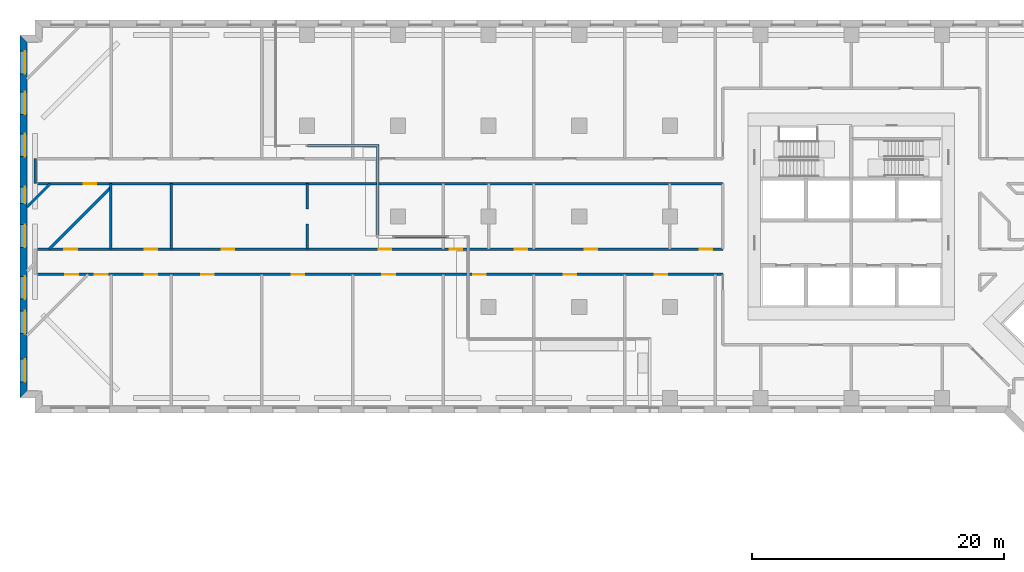
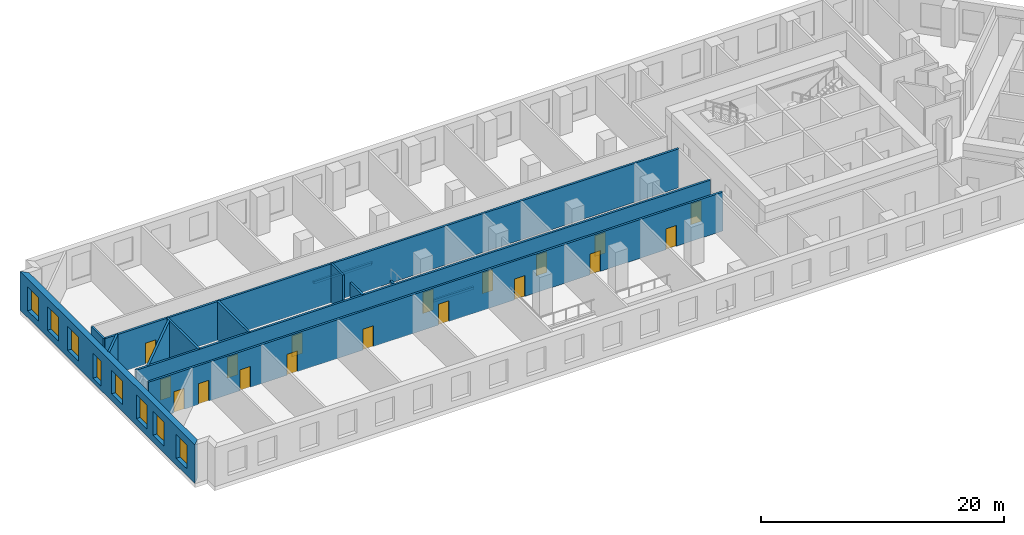
# One storey, part 3 of 12: 18 doors, 14 walls, 8 windows, 26 openings.
"""IFC4 building model written with IfcOpenShell, lengths in metres."""

from ifc_helpers import new_model, si_unit, direction, frame, frame_2d, origin, place, context, subcontext, project, spatial, polyline, rectangle, outline, extrude, material, layer, layer_set, type_object, element, fill, save


model = new_model("IFC4")

# Units and contexts
model_context = context("Model", 3, precision=1e-05, world=origin(), true_north=direction((0.0, 1.0)))
body_context = subcontext(model_context, "Body", "Model", "MODEL_VIEW")
ifc_project = project(units=[si_unit("LENGTHUNIT", "METRE"), si_unit("AREAUNIT", "SQUARE_METRE"), si_unit("VOLUMEUNIT", "CUBIC_METRE"), si_unit("PLANEANGLEUNIT", "RADIAN"), si_unit("MASSUNIT", "GRAM", prefix="KILO")], contexts=[model_context])

# Site, building, storey
site_placement = place(None, origin())
site = spatial("IfcSite", under=ifc_project, at=site_placement, CompositionType="ELEMENT")
building_placement = place(site_placement, origin())
building = spatial("IfcBuilding", under=site, at=building_placement, Name="Windrow Commons", CompositionType="ELEMENT")
storey_placement = place(building_placement, frame((0.0, 0.0, 22.8)))
storey = spatial("IfcBuildingStorey", under=building, at=storey_placement, Name="L05", CompositionType="ELEMENT", Elevation=22.8)

# Wall, openings, windows
ifc_material_1 = material(Name="Brick masonry, red clay brick", Category="masonry")
ifc_layer_1 = layer(ifc_material_1, 0.55)
ifc_layer_set_1 = layer_set([ifc_layer_1], Name="Brick facade wall 550")
wall_type_1 = type_object("IfcWallType", Name="Brick facade wall 550", PredefinedType="SOLIDWALL", material=ifc_layer_set_1)
wall_1_placement = place(storey_placement, frame((-0.925, 71.725, 0.0), z_axis=(0.0, 0.0, 1.0), x_axis=(0.0, -1.0, 0.0)))
wall_1 = element("IfcWall", 1, at=wall_1_placement, inside=storey, type_object=wall_type_1, Name="Brick facade wall L05 8", PredefinedType="SOLIDWALL", context=body_context, shape_type="SweptSolid", body=[
    extrude(outline(polyline([(-0.275, -0.275), (28.525, -0.275), (27.975, 0.275), (0.275, 0.275), (-0.275, -0.275)])), origin(), (0.0, 0.0, 1.0), 3.9),
])
opening_1_placement = place(wall_1_placement, frame((1.0, 0.0, 0.7)))
opening_1 = element("IfcOpeningElement", 2, at=opening_1_placement, cuts=wall_1, Name="Opening W2B", PredefinedType="OPENING", context=body_context, shape_type="SweptSolid", body=[
    extrude(rectangle(XDim=1.8, YDim=2.4, at=frame_2d((0.9, 1.2))), frame((0.0, 0.285, 0.0), z_axis=(0.0, -1.0, 0.0), x_axis=(1.0, 0.0, 0.0)), (0.0, 0.0, 1.0), 0.57),
])
opening_2_placement = place(wall_1_placement, frame((4.225, 0.0, 0.7)))
opening_2 = element("IfcOpeningElement", 3, at=opening_2_placement, cuts=wall_1, Name="Opening W2B", PredefinedType="OPENING", context=body_context, shape_type="SweptSolid", body=[
    extrude(rectangle(XDim=1.8, YDim=2.4, at=frame_2d((0.9, 1.2))), frame((0.0, 0.285, 0.0), z_axis=(0.0, -1.0, 0.0), x_axis=(1.0, 0.0, 0.0)), (0.0, 0.0, 1.0), 0.57),
])
opening_3_placement = place(wall_1_placement, frame((7.575, 0.0, 0.7)))
opening_3 = element("IfcOpeningElement", 4, at=opening_3_placement, cuts=wall_1, Name="Opening W2B", PredefinedType="OPENING", context=body_context, shape_type="SweptSolid", body=[
    extrude(rectangle(XDim=1.8, YDim=2.4, at=frame_2d((0.9, 1.2))), frame((0.0, 0.285, 0.0), z_axis=(0.0, -1.0, 0.0), x_axis=(1.0, 0.0, 0.0)), (0.0, 0.0, 1.0), 0.57),
])
opening_4_placement = place(wall_1_placement, frame((14.775, 0.0, 0.7)))
opening_4 = element("IfcOpeningElement", 5, at=opening_4_placement, cuts=wall_1, Name="Opening W2B", PredefinedType="OPENING", context=body_context, shape_type="SweptSolid", body=[
    extrude(rectangle(XDim=1.8, YDim=2.4, at=frame_2d((0.9, 1.2))), frame((0.0, 0.285, 0.0), z_axis=(0.0, -1.0, 0.0), x_axis=(1.0, 0.0, 0.0)), (0.0, 0.0, 1.0), 0.57),
])
opening_5_placement = place(wall_1_placement, frame((18.875, 0.0, 0.7)))
opening_5 = element("IfcOpeningElement", 6, at=opening_5_placement, cuts=wall_1, Name="Opening W2B", PredefinedType="OPENING", context=body_context, shape_type="SweptSolid", body=[
    extrude(rectangle(XDim=1.8, YDim=2.4, at=frame_2d((0.9, 1.2))), frame((0.0, 0.285, 0.0), z_axis=(0.0, -1.0, 0.0), x_axis=(1.0, 0.0, 0.0)), (0.0, 0.0, 1.0), 0.57),
])
opening_6_placement = place(wall_1_placement, frame((21.625, 0.0, 0.7)))
opening_6 = element("IfcOpeningElement", 7, at=opening_6_placement, cuts=wall_1, Name="Opening W2B", PredefinedType="OPENING", context=body_context, shape_type="SweptSolid", body=[
    extrude(rectangle(XDim=1.8, YDim=2.4, at=frame_2d((0.9, 1.2))), frame((0.0, 0.285, 0.0), z_axis=(0.0, -1.0, 0.0), x_axis=(1.0, 0.0, 0.0)), (0.0, 0.0, 1.0), 0.57),
])
opening_7_placement = place(wall_1_placement, frame((25.45, 0.0, 0.7)))
opening_7 = element("IfcOpeningElement", 8, at=opening_7_placement, cuts=wall_1, Name="Opening W2B", PredefinedType="OPENING", context=body_context, shape_type="SweptSolid", body=[
    extrude(rectangle(XDim=1.8, YDim=2.4, at=frame_2d((0.9, 1.2))), frame((0.0, 0.285, 0.0), z_axis=(0.0, -1.0, 0.0), x_axis=(1.0, 0.0, 0.0)), (0.0, 0.0, 1.0), 0.57),
])
opening_8_placement = place(wall_1_placement, frame((11.775, 0.0, 0.45)))
opening_8 = element("IfcOpeningElement", 9, at=opening_8_placement, cuts=wall_1, Name="Opening W1Q", PredefinedType="OPENING", context=body_context, shape_type="SweptSolid", body=[
    extrude(rectangle(XDim=1.3, YDim=2.5, at=frame_2d((0.65, 1.25))), frame((0.0, 0.285, 0.0), z_axis=(0.0, -1.0, 0.0), x_axis=(1.0, 0.0, 0.0)), (0.0, 0.0, 1.0), 0.57),
])
ifc_material_2 = material(Name="Clear float glass in anodised aluminium frame", Category="aluminium")
window_type_1 = type_object("IfcWindowType", Name="Window W1Q pair 1300x2500", PartitioningType="SINGLE_PANEL", PredefinedType="WINDOW", material=ifc_material_2)
window_1_placement = place(opening_8_placement, origin())
window_1 = element("IfcWindow", 10, at=window_1_placement, inside=storey, type_object=window_type_1, Name="Window L05 8.4A", OverallHeight=2.5, OverallWidth=1.3, PartitioningType="SINGLE_PANEL", PredefinedType="WINDOW", context=body_context, shape_type="SweptSolid", body=[
    extrude(rectangle(XDim=1.3, YDim=2.5, at=frame_2d((0.65, 1.25))), frame((0.0, 0.155, 0.0), z_axis=(0.0, -1.0, 0.0), x_axis=(1.0, 0.0, 0.0)), (0.0, 0.0, 1.0), 0.06),
])
fill(opening_8, window_1)
ifc_material_3 = material(Name="Clear float glass in anodised aluminium frame", Category="aluminium")
window_type_2 = type_object("IfcWindowType", Name="Window W2 podium 1800x2400", PartitioningType="SINGLE_PANEL", PredefinedType="WINDOW", material=ifc_material_3)
window_2_placement = place(opening_1_placement, origin())
window_2 = element("IfcWindow", 11, at=window_2_placement, inside=storey, type_object=window_type_2, Name="Window L05 8.1", OverallHeight=2.4, OverallWidth=1.8, PartitioningType="SINGLE_PANEL", PredefinedType="WINDOW", context=body_context, shape_type="SweptSolid", body=[
    extrude(rectangle(XDim=1.8, YDim=2.4, at=frame_2d((0.9, 1.2))), frame((0.0, 0.155, 0.0), z_axis=(0.0, -1.0, 0.0), x_axis=(1.0, 0.0, 0.0)), (0.0, 0.0, 1.0), 0.06),
])
fill(opening_1, window_2)
window_3_placement = place(opening_2_placement, origin())
window_3 = element("IfcWindow", 12, at=window_3_placement, inside=storey, type_object=window_type_2, Name="Window L05 8.2", OverallHeight=2.4, OverallWidth=1.8, PartitioningType="SINGLE_PANEL", PredefinedType="WINDOW", context=body_context, shape_type="SweptSolid", body=[
    extrude(rectangle(XDim=1.8, YDim=2.4, at=frame_2d((0.9, 1.2))), frame((0.0, 0.155, 0.0), z_axis=(0.0, -1.0, 0.0), x_axis=(1.0, 0.0, 0.0)), (0.0, 0.0, 1.0), 0.06),
])
fill(opening_2, window_3)
window_4_placement = place(opening_3_placement, origin())
window_4 = element("IfcWindow", 13, at=window_4_placement, inside=storey, type_object=window_type_2, Name="Window L05 8.3", OverallHeight=2.4, OverallWidth=1.8, PartitioningType="SINGLE_PANEL", PredefinedType="WINDOW", context=body_context, shape_type="SweptSolid", body=[
    extrude(rectangle(XDim=1.8, YDim=2.4, at=frame_2d((0.9, 1.2))), frame((0.0, 0.155, 0.0), z_axis=(0.0, -1.0, 0.0), x_axis=(1.0, 0.0, 0.0)), (0.0, 0.0, 1.0), 0.06),
])
fill(opening_3, window_4)
window_5_placement = place(opening_4_placement, origin())
window_5 = element("IfcWindow", 14, at=window_5_placement, inside=storey, type_object=window_type_2, Name="Window L05 8.5", OverallHeight=2.4, OverallWidth=1.8, PartitioningType="SINGLE_PANEL", PredefinedType="WINDOW", context=body_context, shape_type="SweptSolid", body=[
    extrude(rectangle(XDim=1.8, YDim=2.4, at=frame_2d((0.9, 1.2))), frame((0.0, 0.155, 0.0), z_axis=(0.0, -1.0, 0.0), x_axis=(1.0, 0.0, 0.0)), (0.0, 0.0, 1.0), 0.06),
])
fill(opening_4, window_5)
window_6_placement = place(opening_5_placement, origin())
window_6 = element("IfcWindow", 15, at=window_6_placement, inside=storey, type_object=window_type_2, Name="Window L05 8.6", OverallHeight=2.4, OverallWidth=1.8, PartitioningType="SINGLE_PANEL", PredefinedType="WINDOW", context=body_context, shape_type="SweptSolid", body=[
    extrude(rectangle(XDim=1.8, YDim=2.4, at=frame_2d((0.9, 1.2))), frame((0.0, 0.155, 0.0), z_axis=(0.0, -1.0, 0.0), x_axis=(1.0, 0.0, 0.0)), (0.0, 0.0, 1.0), 0.06),
])
fill(opening_5, window_6)
window_7_placement = place(opening_6_placement, origin())
window_7 = element("IfcWindow", 16, at=window_7_placement, inside=storey, type_object=window_type_2, Name="Window L05 8.7", OverallHeight=2.4, OverallWidth=1.8, PartitioningType="SINGLE_PANEL", PredefinedType="WINDOW", context=body_context, shape_type="SweptSolid", body=[
    extrude(rectangle(XDim=1.8, YDim=2.4, at=frame_2d((0.9, 1.2))), frame((0.0, 0.155, 0.0), z_axis=(0.0, -1.0, 0.0), x_axis=(1.0, 0.0, 0.0)), (0.0, 0.0, 1.0), 0.06),
])
fill(opening_6, window_7)
window_8_placement = place(opening_7_placement, origin())
window_8 = element("IfcWindow", 17, at=window_8_placement, inside=storey, type_object=window_type_2, Name="Window L05 8.8", OverallHeight=2.4, OverallWidth=1.8, PartitioningType="SINGLE_PANEL", PredefinedType="WINDOW", context=body_context, shape_type="SweptSolid", body=[
    extrude(rectangle(XDim=1.8, YDim=2.4, at=frame_2d((0.9, 1.2))), frame((0.0, 0.155, 0.0), z_axis=(0.0, -1.0, 0.0), x_axis=(1.0, 0.0, 0.0)), (0.0, 0.0, 1.0), 0.06),
])
fill(opening_7, window_8)

# Wall, openings, doors
ifc_material_4 = material(Name="Blockwork partition", Category="masonry")
ifc_layer_2 = layer(ifc_material_4, 0.2)
ifc_layer_set_2 = layer_set([ifc_layer_2], Name="IW-CORRIDOR-200")
wall_type_2 = type_object("IfcWallType", Name="IW-CORRIDOR-200", PredefinedType="PARTITIONING", material=ifc_layer_set_2)
wall_2_placement = place(storey_placement, frame((0.0, 55.0, 0.0), z_axis=(0.0, 0.0, 1.0), x_axis=(1.0, 0.0, 0.0)))
wall_2 = element("IfcWall", 18, at=wall_2_placement, inside=storey, type_object=wall_type_2, Name="W-L05-W000", PredefinedType="PARTITIONING", context=body_context, shape_type="SweptSolid", body=[
    extrude(rectangle(XDim=54.6, YDim=0.2, at=frame_2d((27.3, 0.0))), origin(), (0.0, 0.0, 1.0), 3.9),
])
opening_9_placement = place(wall_2_placement, frame((8.6894, 0.0, 0.0)))
opening_9 = element("IfcOpeningElement", 19, at=opening_9_placement, cuts=wall_2, Name="Opening D310F", PredefinedType="OPENING", context=body_context, shape_type="SweptSolid", body=[
    extrude(rectangle(XDim=1.0, YDim=2.1, at=frame_2d((0.5, 1.05))), frame((0.0, 0.11, 0.0), z_axis=(0.0, -1.0, 0.0), x_axis=(1.0, 0.0, 0.0)), (0.0, 0.0, 1.0), 0.22),
])
opening_10_placement = place(wall_2_placement, frame((14.825, 0.0, 0.0)))
opening_10 = element("IfcOpeningElement", 20, at=opening_10_placement, cuts=wall_2, Name="Opening D310F", PredefinedType="OPENING", context=body_context, shape_type="SweptSolid", body=[
    extrude(rectangle(XDim=1.0, YDim=2.1, at=frame_2d((0.5, 1.05))), frame((0.0, 0.11, 0.0), z_axis=(0.0, -1.0, 0.0), x_axis=(1.0, 0.0, 0.0)), (0.0, 0.0, 1.0), 0.22),
])
opening_11_placement = place(wall_2_placement, frame((27.2842, 0.0, 0.0)))
opening_11 = element("IfcOpeningElement", 21, at=opening_11_placement, cuts=wall_2, Name="Opening D310F", PredefinedType="OPENING", context=body_context, shape_type="SweptSolid", body=[
    extrude(rectangle(XDim=1.0, YDim=2.1, at=frame_2d((0.5, 1.05))), frame((0.0, 0.11, 0.0), z_axis=(0.0, -1.0, 0.0), x_axis=(1.0, 0.0, 0.0)), (0.0, 0.0, 1.0), 0.22),
])
opening_12_placement = place(wall_2_placement, frame((32.925, 0.0, 0.0)))
opening_12 = element("IfcOpeningElement", 22, at=opening_12_placement, cuts=wall_2, Name="Opening D310F", PredefinedType="OPENING", context=body_context, shape_type="SweptSolid", body=[
    extrude(rectangle(XDim=1.0, YDim=2.1, at=frame_2d((0.5, 1.05))), frame((0.0, 0.11, 0.0), z_axis=(0.0, -1.0, 0.0), x_axis=(1.0, 0.0, 0.0)), (0.0, 0.0, 1.0), 0.22),
])
opening_13_placement = place(wall_2_placement, frame((38.075, 0.0, 0.0)))
opening_13 = element("IfcOpeningElement", 23, at=opening_13_placement, cuts=wall_2, Name="Opening D310F", PredefinedType="OPENING", context=body_context, shape_type="SweptSolid", body=[
    extrude(rectangle(XDim=1.0, YDim=2.1, at=frame_2d((0.5, 1.05))), frame((0.0, 0.11, 0.0), z_axis=(0.0, -1.0, 0.0), x_axis=(1.0, 0.0, 0.0)), (0.0, 0.0, 1.0), 0.22),
])
opening_14_placement = place(wall_2_placement, frame((43.625, 0.0, 0.0)))
opening_14 = element("IfcOpeningElement", 24, at=opening_14_placement, cuts=wall_2, Name="Opening D310F", PredefinedType="OPENING", context=body_context, shape_type="SweptSolid", body=[
    extrude(rectangle(XDim=1.0, YDim=2.1, at=frame_2d((0.5, 1.05))), frame((0.0, 0.11, 0.0), z_axis=(0.0, -1.0, 0.0), x_axis=(1.0, 0.0, 0.0)), (0.0, 0.0, 1.0), 0.22),
])
opening_15_placement = place(wall_2_placement, frame((52.7521, 0.0, 0.0)))
opening_15 = element("IfcOpeningElement", 25, at=opening_15_placement, cuts=wall_2, Name="Opening D310F", PredefinedType="OPENING", context=body_context, shape_type="SweptSolid", body=[
    extrude(rectangle(XDim=1.0, YDim=2.1, at=frame_2d((0.5, 1.05))), frame((0.0, 0.11, 0.0), z_axis=(0.0, -1.0, 0.0), x_axis=(1.0, 0.0, 0.0)), (0.0, 0.0, 1.0), 0.22),
])
opening_16_placement = place(wall_2_placement, frame((2.3316, 0.0, 0.0)))
opening_16 = element("IfcOpeningElement", 26, at=opening_16_placement, cuts=wall_2, Name="Opening D410F", PredefinedType="OPENING", context=body_context, shape_type="SweptSolid", body=[
    extrude(rectangle(XDim=1.0, YDim=2.1, at=frame_2d((0.5, 1.05))), frame((0.0, 0.11, 0.0), z_axis=(0.0, -1.0, 0.0), x_axis=(1.0, 0.0, 0.0)), (0.0, 0.0, 1.0), 0.22),
])
ifc_material_5 = material(Name="Timber door leaf", Category="wood")
door_type_1 = type_object("IfcDoorType", Name="DT-AMENITY-1000", OperationType="SINGLE_SWING_LEFT", PredefinedType="DOOR", material=ifc_material_5)
door_1_placement = place(opening_9_placement, origin())
door_1 = element("IfcDoor", 27, at=door_1_placement, inside=storey, type_object=door_type_1, Name="D-L05-D012", OperationType="SINGLE_SWING_RIGHT", OverallHeight=2.1, OverallWidth=1.0, PredefinedType="DOOR", context=body_context, shape_type="SweptSolid", body=[
    extrude(rectangle(XDim=1.0, YDim=2.1, at=frame_2d((0.5, 1.05))), frame((0.0, 0.025, 0.0), z_axis=(0.0, -1.0, 0.0), x_axis=(1.0, 0.0, 0.0)), (0.0, 0.0, 1.0), 0.05),
])
fill(opening_9, door_1)
door_2_placement = place(opening_10_placement, origin())
door_2 = element("IfcDoor", 28, at=door_2_placement, inside=storey, type_object=door_type_1, Name="D-L05-D013", OperationType="SINGLE_SWING_LEFT", OverallHeight=2.1, OverallWidth=1.0, PredefinedType="DOOR", context=body_context, shape_type="SweptSolid", body=[
    extrude(rectangle(XDim=1.0, YDim=2.1, at=frame_2d((0.5, 1.05))), frame((0.0, 0.025, 0.0), z_axis=(0.0, -1.0, 0.0), x_axis=(1.0, 0.0, 0.0)), (0.0, 0.0, 1.0), 0.05),
])
fill(opening_10, door_2)
door_3_placement = place(opening_11_placement, origin())
door_3 = element("IfcDoor", 29, at=door_3_placement, inside=storey, type_object=door_type_1, Name="D-L05-D014", OperationType="SINGLE_SWING_RIGHT", OverallHeight=2.1, OverallWidth=1.0, PredefinedType="DOOR", context=body_context, shape_type="SweptSolid", body=[
    extrude(rectangle(XDim=1.0, YDim=2.1, at=frame_2d((0.5, 1.05))), frame((0.0, 0.025, 0.0), z_axis=(0.0, -1.0, 0.0), x_axis=(1.0, 0.0, 0.0)), (0.0, 0.0, 1.0), 0.05),
])
fill(opening_11, door_3)
door_4_placement = place(opening_12_placement, origin())
door_4 = element("IfcDoor", 30, at=door_4_placement, inside=storey, type_object=door_type_1, Name="D-L05-D015", OperationType="SINGLE_SWING_LEFT", OverallHeight=2.1, OverallWidth=1.0, PredefinedType="DOOR", context=body_context, shape_type="SweptSolid", body=[
    extrude(rectangle(XDim=1.0, YDim=2.1, at=frame_2d((0.5, 1.05))), frame((0.0, 0.025, 0.0), z_axis=(0.0, -1.0, 0.0), x_axis=(1.0, 0.0, 0.0)), (0.0, 0.0, 1.0), 0.05),
])
fill(opening_12, door_4)
door_5_placement = place(opening_13_placement, origin())
door_5 = element("IfcDoor", 31, at=door_5_placement, inside=storey, type_object=door_type_1, Name="D-L05-D016", OperationType="SINGLE_SWING_RIGHT", OverallHeight=2.1, OverallWidth=1.0, PredefinedType="DOOR", context=body_context, shape_type="SweptSolid", body=[
    extrude(rectangle(XDim=1.0, YDim=2.1, at=frame_2d((0.5, 1.05))), frame((0.0, 0.025, 0.0), z_axis=(0.0, -1.0, 0.0), x_axis=(1.0, 0.0, 0.0)), (0.0, 0.0, 1.0), 0.05),
])
fill(opening_13, door_5)
door_6_placement = place(opening_14_placement, origin())
door_6 = element("IfcDoor", 32, at=door_6_placement, inside=storey, type_object=door_type_1, Name="D-L05-D017", OperationType="SINGLE_SWING_LEFT", OverallHeight=2.1, OverallWidth=1.0, PredefinedType="DOOR", context=body_context, shape_type="SweptSolid", body=[
    extrude(rectangle(XDim=1.0, YDim=2.1, at=frame_2d((0.5, 1.05))), frame((0.0, 0.025, 0.0), z_axis=(0.0, -1.0, 0.0), x_axis=(1.0, 0.0, 0.0)), (0.0, 0.0, 1.0), 0.05),
])
fill(opening_14, door_6)
door_7_placement = place(opening_15_placement, origin())
door_7 = element("IfcDoor", 33, at=door_7_placement, inside=storey, type_object=door_type_1, Name="D-L05-D018", OperationType="SINGLE_SWING_RIGHT", OverallHeight=2.1, OverallWidth=1.0, PredefinedType="DOOR", context=body_context, shape_type="SweptSolid", body=[
    extrude(rectangle(XDim=1.0, YDim=2.1, at=frame_2d((0.5, 1.05))), frame((0.0, 0.025, 0.0), z_axis=(0.0, -1.0, 0.0), x_axis=(1.0, 0.0, 0.0)), (0.0, 0.0, 1.0), 0.05),
])
fill(opening_15, door_7)
ifc_material_6 = material(Name="Timber door leaf", Category="wood")
door_type_2 = type_object("IfcDoorType", Name="DT-SERVICE-1000", OperationType="SINGLE_SWING_LEFT", PredefinedType="DOOR", material=ifc_material_6)
door_8_placement = place(opening_16_placement, origin())
door_8 = element("IfcDoor", 34, at=door_8_placement, inside=storey, type_object=door_type_2, Name="D-L05-D045", OperationType="SINGLE_SWING_LEFT", OverallHeight=2.1, OverallWidth=1.0, PredefinedType="DOOR", context=body_context, shape_type="SweptSolid", body=[
    extrude(rectangle(XDim=1.0, YDim=2.1, at=frame_2d((0.5, 1.05))), frame((0.0, 0.025, 0.0), z_axis=(0.0, -1.0, 0.0), x_axis=(1.0, 0.0, 0.0)), (0.0, 0.0, 1.0), 0.05),
])
fill(opening_16, door_8)

wall_3_placement = place(storey_placement, frame((0.0, 53.0, 0.0), z_axis=(0.0, 0.0, 1.0), x_axis=(1.0, 0.0, 0.0)))
wall_3 = element("IfcWall", 35, at=wall_3_placement, inside=storey, type_object=wall_type_2, Name="W-L05-W001", PredefinedType="PARTITIONING", context=body_context, shape_type="SweptSolid", body=[
    extrude(rectangle(XDim=54.6, YDim=0.2, at=frame_2d((27.3, 0.0))), origin(), (0.0, 0.0, 1.0), 3.9),
])
opening_17_placement = place(wall_3_placement, frame((8.6894, 0.0, 0.0)))
opening_17 = element("IfcOpeningElement", 36, at=opening_17_placement, cuts=wall_3, Name="Opening D310F", PredefinedType="OPENING", context=body_context, shape_type="SweptSolid", body=[
    extrude(rectangle(XDim=1.0, YDim=2.1, at=frame_2d((0.5, 1.05))), frame((0.0, 0.11, 0.0), z_axis=(0.0, -1.0, 0.0), x_axis=(1.0, 0.0, 0.0)), (0.0, 0.0, 1.0), 0.22),
])
opening_18_placement = place(wall_3_placement, frame((13.1737, 0.0, 0.0)))
opening_18 = element("IfcOpeningElement", 37, at=opening_18_placement, cuts=wall_3, Name="Opening D310F", PredefinedType="OPENING", context=body_context, shape_type="SweptSolid", body=[
    extrude(rectangle(XDim=1.0, YDim=2.1, at=frame_2d((0.5, 1.05))), frame((0.0, 0.11, 0.0), z_axis=(0.0, -1.0, 0.0), x_axis=(1.0, 0.0, 0.0)), (0.0, 0.0, 1.0), 0.22),
])
opening_19_placement = place(wall_3_placement, frame((20.3737, 0.0, 0.0)))
opening_19 = element("IfcOpeningElement", 38, at=opening_19_placement, cuts=wall_3, Name="Opening D310F", PredefinedType="OPENING", context=body_context, shape_type="SweptSolid", body=[
    extrude(rectangle(XDim=1.0, YDim=2.1, at=frame_2d((0.5, 1.05))), frame((0.0, 0.11, 0.0), z_axis=(0.0, -1.0, 0.0), x_axis=(1.0, 0.0, 0.0)), (0.0, 0.0, 1.0), 0.22),
])
opening_20_placement = place(wall_3_placement, frame((27.5737, 0.0, 0.0)))
opening_20 = element("IfcOpeningElement", 39, at=opening_20_placement, cuts=wall_3, Name="Opening D310F", PredefinedType="OPENING", context=body_context, shape_type="SweptSolid", body=[
    extrude(rectangle(XDim=1.0, YDim=2.1, at=frame_2d((0.5, 1.05))), frame((0.0, 0.11, 0.0), z_axis=(0.0, -1.0, 0.0), x_axis=(1.0, 0.0, 0.0)), (0.0, 0.0, 1.0), 0.22),
])
opening_21_placement = place(wall_3_placement, frame((34.7737, 0.0, 0.0)))
opening_21 = element("IfcOpeningElement", 40, at=opening_21_placement, cuts=wall_3, Name="Opening D310F", PredefinedType="OPENING", context=body_context, shape_type="SweptSolid", body=[
    extrude(rectangle(XDim=1.0, YDim=2.1, at=frame_2d((0.5, 1.05))), frame((0.0, 0.11, 0.0), z_axis=(0.0, -1.0, 0.0), x_axis=(1.0, 0.0, 0.0)), (0.0, 0.0, 1.0), 0.22),
])
opening_22_placement = place(wall_3_placement, frame((41.9737, 0.0, 0.0)))
opening_22 = element("IfcOpeningElement", 41, at=opening_22_placement, cuts=wall_3, Name="Opening D310F", PredefinedType="OPENING", context=body_context, shape_type="SweptSolid", body=[
    extrude(rectangle(XDim=1.0, YDim=2.1, at=frame_2d((0.5, 1.05))), frame((0.0, 0.11, 0.0), z_axis=(0.0, -1.0, 0.0), x_axis=(1.0, 0.0, 0.0)), (0.0, 0.0, 1.0), 0.22),
])
opening_23_placement = place(wall_3_placement, frame((49.1737, 0.0, 0.0)))
opening_23 = element("IfcOpeningElement", 42, at=opening_23_placement, cuts=wall_3, Name="Opening D310F", PredefinedType="OPENING", context=body_context, shape_type="SweptSolid", body=[
    extrude(rectangle(XDim=1.0, YDim=2.1, at=frame_2d((0.5, 1.05))), frame((0.0, 0.11, 0.0), z_axis=(0.0, -1.0, 0.0), x_axis=(1.0, 0.0, 0.0)), (0.0, 0.0, 1.0), 0.22),
])
opening_24_placement = place(wall_3_placement, frame((2.4056, 0.0, 0.0)))
opening_24 = element("IfcOpeningElement", 43, at=opening_24_placement, cuts=wall_3, Name="Opening D310F", PredefinedType="OPENING", context=body_context, shape_type="SweptSolid", body=[
    extrude(rectangle(XDim=1.0, YDim=2.1, at=frame_2d((0.5, 1.05))), frame((0.0, 0.11, 0.0), z_axis=(0.0, -1.0, 0.0), x_axis=(1.0, 0.0, 0.0)), (0.0, 0.0, 1.0), 0.22),
])
opening_25_placement = place(wall_3_placement, frame((4.7485, 0.0, 0.0)))
opening_25 = element("IfcOpeningElement", 44, at=opening_25_placement, cuts=wall_3, Name="Opening D310F", PredefinedType="OPENING", context=body_context, shape_type="SweptSolid", body=[
    extrude(rectangle(XDim=1.0, YDim=2.1, at=frame_2d((0.5, 1.05))), frame((0.0, 0.11, 0.0), z_axis=(0.0, -1.0, 0.0), x_axis=(1.0, 0.0, 0.0)), (0.0, 0.0, 1.0), 0.22),
])
door_9_placement = place(opening_17_placement, origin())
door_9 = element("IfcDoor", 45, at=door_9_placement, inside=storey, type_object=door_type_1, Name="D-L05-D000", OperationType="SINGLE_SWING_LEFT", OverallHeight=2.1, OverallWidth=1.0, PredefinedType="DOOR", context=body_context, shape_type="SweptSolid", body=[
    extrude(rectangle(XDim=1.0, YDim=2.1, at=frame_2d((0.5, 1.05))), frame((0.0, 0.025, 0.0), z_axis=(0.0, -1.0, 0.0), x_axis=(1.0, 0.0, 0.0)), (0.0, 0.0, 1.0), 0.05),
])
fill(opening_17, door_9)
door_10_placement = place(opening_18_placement, origin())
door_10 = element("IfcDoor", 46, at=door_10_placement, inside=storey, type_object=door_type_1, Name="D-L05-D001", OperationType="SINGLE_SWING_RIGHT", OverallHeight=2.1, OverallWidth=1.0, PredefinedType="DOOR", context=body_context, shape_type="SweptSolid", body=[
    extrude(rectangle(XDim=1.0, YDim=2.1, at=frame_2d((0.5, 1.05))), frame((0.0, 0.025, 0.0), z_axis=(0.0, -1.0, 0.0), x_axis=(1.0, 0.0, 0.0)), (0.0, 0.0, 1.0), 0.05),
])
fill(opening_18, door_10)
door_11_placement = place(opening_19_placement, origin())
door_11 = element("IfcDoor", 47, at=door_11_placement, inside=storey, type_object=door_type_1, Name="D-L05-D002", OperationType="SINGLE_SWING_RIGHT", OverallHeight=2.1, OverallWidth=1.0, PredefinedType="DOOR", context=body_context, shape_type="SweptSolid", body=[
    extrude(rectangle(XDim=1.0, YDim=2.1, at=frame_2d((0.5, 1.05))), frame((0.0, 0.025, 0.0), z_axis=(0.0, -1.0, 0.0), x_axis=(1.0, 0.0, 0.0)), (0.0, 0.0, 1.0), 0.05),
])
fill(opening_19, door_11)
door_12_placement = place(opening_20_placement, origin())
door_12 = element("IfcDoor", 48, at=door_12_placement, inside=storey, type_object=door_type_1, Name="D-L05-D003", OperationType="SINGLE_SWING_RIGHT", OverallHeight=2.1, OverallWidth=1.0, PredefinedType="DOOR", context=body_context, shape_type="SweptSolid", body=[
    extrude(rectangle(XDim=1.0, YDim=2.1, at=frame_2d((0.5, 1.05))), frame((0.0, 0.025, 0.0), z_axis=(0.0, -1.0, 0.0), x_axis=(1.0, 0.0, 0.0)), (0.0, 0.0, 1.0), 0.05),
])
fill(opening_20, door_12)
door_13_placement = place(opening_21_placement, origin())
door_13 = element("IfcDoor", 49, at=door_13_placement, inside=storey, type_object=door_type_1, Name="D-L05-D004", OperationType="SINGLE_SWING_RIGHT", OverallHeight=2.1, OverallWidth=1.0, PredefinedType="DOOR", context=body_context, shape_type="SweptSolid", body=[
    extrude(rectangle(XDim=1.0, YDim=2.1, at=frame_2d((0.5, 1.05))), frame((0.0, 0.025, 0.0), z_axis=(0.0, -1.0, 0.0), x_axis=(1.0, 0.0, 0.0)), (0.0, 0.0, 1.0), 0.05),
])
fill(opening_21, door_13)
door_14_placement = place(opening_22_placement, origin())
door_14 = element("IfcDoor", 50, at=door_14_placement, inside=storey, type_object=door_type_1, Name="D-L05-D005", OperationType="SINGLE_SWING_RIGHT", OverallHeight=2.1, OverallWidth=1.0, PredefinedType="DOOR", context=body_context, shape_type="SweptSolid", body=[
    extrude(rectangle(XDim=1.0, YDim=2.1, at=frame_2d((0.5, 1.05))), frame((0.0, 0.025, 0.0), z_axis=(0.0, -1.0, 0.0), x_axis=(1.0, 0.0, 0.0)), (0.0, 0.0, 1.0), 0.05),
])
fill(opening_22, door_14)
door_15_placement = place(opening_23_placement, origin())
door_15 = element("IfcDoor", 51, at=door_15_placement, inside=storey, type_object=door_type_1, Name="D-L05-D006", OperationType="SINGLE_SWING_RIGHT", OverallHeight=2.1, OverallWidth=1.0, PredefinedType="DOOR", context=body_context, shape_type="SweptSolid", body=[
    extrude(rectangle(XDim=1.0, YDim=2.1, at=frame_2d((0.5, 1.05))), frame((0.0, 0.025, 0.0), z_axis=(0.0, -1.0, 0.0), x_axis=(1.0, 0.0, 0.0)), (0.0, 0.0, 1.0), 0.05),
])
fill(opening_23, door_15)
door_16_placement = place(opening_24_placement, origin())
door_16 = element("IfcDoor", 52, at=door_16_placement, inside=storey, type_object=door_type_1, Name="D-L05-D044", OperationType="SINGLE_SWING_RIGHT", OverallHeight=2.1, OverallWidth=1.0, PredefinedType="DOOR", context=body_context, shape_type="SweptSolid", body=[
    extrude(rectangle(XDim=1.0, YDim=2.1, at=frame_2d((0.5, 1.05))), frame((0.0, 0.025, 0.0), z_axis=(0.0, -1.0, 0.0), x_axis=(1.0, 0.0, 0.0)), (0.0, 0.0, 1.0), 0.05),
])
fill(opening_24, door_16)
door_17_placement = place(opening_25_placement, origin())
door_17 = element("IfcDoor", 53, at=door_17_placement, inside=storey, type_object=door_type_1, Name="D-L05-D046", OperationType="SINGLE_SWING_LEFT", OverallHeight=2.1, OverallWidth=1.0, PredefinedType="DOOR", context=body_context, shape_type="SweptSolid", body=[
    extrude(rectangle(XDim=1.0, YDim=2.1, at=frame_2d((0.5, 1.05))), frame((0.0, 0.025, 0.0), z_axis=(0.0, -1.0, 0.0), x_axis=(1.0, 0.0, 0.0)), (0.0, 0.0, 1.0), 0.05),
])
fill(opening_25, door_17)

# Wall, opening, door
wall_4_placement = place(storey_placement, frame((0.002, 60.2, 0.0), z_axis=(0.0, 0.0, 1.0), x_axis=(1.0, 0.0, 0.0)))
wall_4 = element("IfcWall", 54, at=wall_4_placement, inside=storey, type_object=wall_type_2, Name="W-L05-W002", PredefinedType="PARTITIONING", context=body_context, shape_type="SweptSolid", body=[
    extrude(rectangle(XDim=54.598, YDim=0.2, at=frame_2d((27.299, 0.0))), origin(), (0.0, 0.0, 1.0), 3.9),
])
opening_26_placement = place(wall_4_placement, frame((3.8633, 0.0, 0.0)))
opening_26 = element("IfcOpeningElement", 55, at=opening_26_placement, cuts=wall_4, Name="Opening D310F", PredefinedType="OPENING", context=body_context, shape_type="SweptSolid", body=[
    extrude(rectangle(XDim=1.0, YDim=2.1, at=frame_2d((0.5, 1.05))), frame((0.0, 0.11, 0.0), z_axis=(0.0, -1.0, 0.0), x_axis=(1.0, 0.0, 0.0)), (0.0, 0.0, 1.0), 0.22),
])
door_18_placement = place(opening_26_placement, origin())
door_18 = element("IfcDoor", 56, at=door_18_placement, inside=storey, type_object=door_type_1, Name="D-L05-D043", OperationType="SINGLE_SWING_LEFT", OverallHeight=2.1, OverallWidth=1.0, PredefinedType="DOOR", context=body_context, shape_type="SweptSolid", body=[
    extrude(rectangle(XDim=1.0, YDim=2.1, at=frame_2d((0.5, 1.05))), frame((0.0, 0.025, 0.0), z_axis=(0.0, -1.0, 0.0), x_axis=(1.0, 0.0, 0.0)), (0.0, 0.0, 1.0), 0.05),
])
fill(opening_26, door_18)

# Walls
wall_5_placement = place(storey_placement, frame((0.0, 60.202, 0.0), z_axis=(0.0, 0.0, 1.0), x_axis=(0.0, 1.0, 0.0)))
element("IfcWall", 57, at=wall_5_placement, inside=storey, type_object=wall_type_2, Name="W-L05-W086", PredefinedType="PARTITIONING", context=body_context, shape_type="SweptSolid", body=[
    extrude(rectangle(XDim=1.996, YDim=0.2, at=frame_2d((0.998, 0.0))), origin(), (0.0, 0.0, 1.0), 3.9),
])
ifc_material_7 = material(Name="Blockwork partition", Category="masonry")
ifc_layer_3 = layer(ifc_material_7, 0.2)
ifc_layer_set_3 = layer_set([ifc_layer_3], Name="IW-PARTY-200")
wall_type_3 = type_object("IfcWallType", Name="IW-PARTY-200", PredefinedType="PARTITIONING", material=ifc_layer_set_3)
wall_6_placement = place(storey_placement, frame((1.1052, 55.0008, 0.0), z_axis=(0.0, 0.0, 1.0), x_axis=(0.7071067812, 0.7071067812, 0.0)))
element("IfcWall", 58, at=wall_6_placement, inside=storey, type_object=wall_type_3, Name="W-L05-W037", PredefinedType="PARTITIONING", context=body_context, shape_type="SweptSolid", body=[
    extrude(rectangle(XDim=6.9212, YDim=0.2, at=frame_2d((3.4606, 0.0))), origin(), (0.0, 0.0, 1.0), 3.9),
])
for number, where, z_axis, x_axis, name in (
    (59, (6.0, 55.0, 0.0), (0.0, 0.0, 1.0), (0.0, 1.0, 0.0), "W-L05-W049"),
    (60, (10.8, 55.0, 0.0), (0.0, 0.0, 1.0), (0.0, 1.0, 0.0), "W-L05-W050"),
):
    element("IfcWall", number, at=place(storey_placement, frame(where, z_axis=z_axis, x_axis=x_axis)), inside=storey, type_object=wall_type_3, Name=name, PredefinedType="PARTITIONING", context=body_context, shape_type="SweptSolid", body=[
        extrude(rectangle(XDim=5.2, YDim=0.2, at=frame_2d((2.6, 0.0))), origin(), (0.0, 0.0, 1.0), 3.9),
    ])
wall_7_placement = place(storey_placement, frame((-0.65, 58.3368, 0.0), z_axis=(0.0, 0.0, 1.0), x_axis=(0.7071067812, 0.7071067812, 0.0)))
element("IfcWall", 61, at=wall_7_placement, inside=storey, type_object=wall_type_3, Name="W-L05-W072", PredefinedType="PARTITIONING", context=body_context, shape_type="SweptSolid", body=[
    extrude(rectangle(XDim=2.6355, YDim=0.2, at=frame_2d((1.3177, 0.0))), origin(), (0.0, 0.0, 1.0), 3.9),
])
for number, where, z_axis, x_axis, name in (
    (62, (21.6, 55.0, 0.0), (0.0, 0.0, 1.0), (0.0, 1.0, 0.0), "W-L05-W076"),
    (63, (21.6, 58.2, 0.0), (0.0, 0.0, 1.0), (0.0, 1.0, 0.0), "W-L05-W077"),
):
    element("IfcWall", number, at=place(storey_placement, frame(where, z_axis=z_axis, x_axis=x_axis)), inside=storey, type_object=wall_type_3, Name=name, PredefinedType="PARTITIONING", context=body_context, shape_type="SweptSolid", body=[
        extrude(rectangle(XDim=2.0, YDim=0.2, at=frame_2d((1.0, 0.0))), origin(), (0.0, 0.0, 1.0), 3.9),
    ])
ifc_material_8 = material(Name="Brick masonry, red clay brick", Category="masonry")
ifc_layer_4 = layer(ifc_material_8, 0.2)
ifc_layer_set_4 = layer_set([ifc_layer_4], Name="Terrace edge parapet 200")
wall_type_4 = type_object("IfcWallType", Name="Terrace edge parapet 200", PredefinedType="PARAPET", material=ifc_layer_set_4)
wall_8_placement = place(storey_placement, frame((32.655, 56.0, 0.0), z_axis=(0.0, 0.0, 1.0), x_axis=(-1.0, 0.0, 0.0)))
element("IfcWall", 64, at=wall_8_placement, inside=storey, type_object=wall_type_4, Name="Terrace parapet TR-L05-1.1.4", PredefinedType="PARAPET", context=body_context, shape_type="SweptSolid", body=[
    extrude(outline(polyline([(0.0, -0.1), (4.1008, -0.1), (4.1008, 0.1), (0.0, 0.1), (0.0, -0.1)])), origin(), (0.0, 0.0, 1.0), 0.25),
])
wall_9_placement = place(storey_placement, frame((27.2, 56.12, 0.0), z_axis=(0.0, 0.0, 1.0), x_axis=(0.0, 1.0, 0.0)))
element("IfcWall", 65, at=wall_9_placement, inside=storey, type_object=wall_type_4, Name="Terrace parapet TR-L05-1.1.5", PredefinedType="PARAPET", context=body_context, shape_type="SweptSolid", body=[
    extrude(outline(polyline([(0.0, -0.1), (7.18, -0.1), (6.98, 0.1), (0.0, 0.1), (0.0, -0.1)])), origin(), (0.0, 0.0, 1.0), 0.25),
])
wall_10_placement = place(storey_placement, frame((27.2, 63.2, 0.0), z_axis=(0.0, 0.0, 1.0), x_axis=(-1.0, 0.0, 0.0)))
element("IfcWall", 66, at=wall_10_placement, inside=storey, type_object=wall_type_4, Name="Terrace parapet TR-L05-1.1.6", PredefinedType="PARAPET", context=body_context, shape_type="SweptSolid", body=[
    extrude(outline(polyline([(-0.1, -0.1), (5.5925, -0.1), (5.5925, 0.1), (0.1, 0.1), (-0.1, -0.1)])), origin(), (0.0, 0.0, 1.0), 0.25),
])

save(model, "model.ifc")
